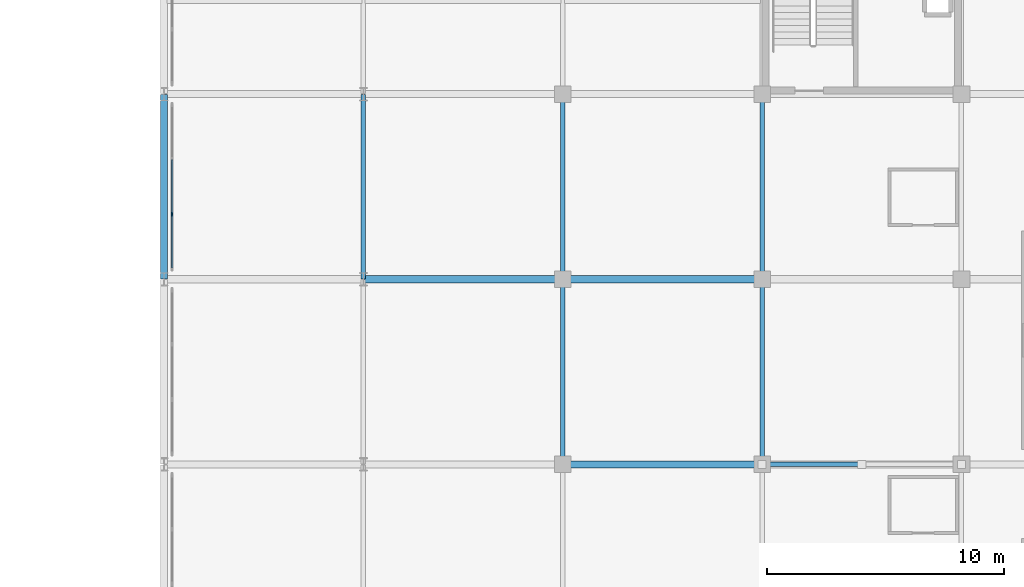
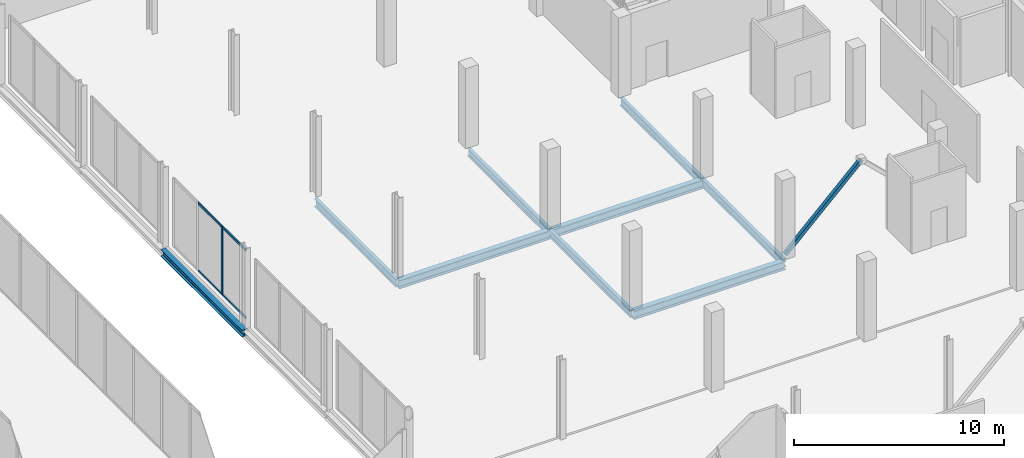
# One storey, part 50 of 98: 9 beams, 6 members, 1 element without a shape of its own.
"""IFC4 building model written with IfcOpenShell, lengths in metres."""

from ifc_helpers import new_model, si_unit, direction, frame, origin, origin_2d, place, context, subcontext, project, spatial, rectangle, hollow_rectangle, i_section, extrude, material, material_profile, profile_set, type_object, element, aggregate, save


model = new_model("IFC4")

# Units and contexts
model_context = context("Model", 3, precision=1e-05, world=origin(), true_north=direction((0.0, 1.0)))
body_context = subcontext(model_context, "Body", "Model", "MODEL_VIEW")
ifc_project = project(units=[si_unit("LENGTHUNIT", "METRE"), si_unit("AREAUNIT", "SQUARE_METRE"), si_unit("VOLUMEUNIT", "CUBIC_METRE"), si_unit("PLANEANGLEUNIT", "RADIAN"), si_unit("MASSUNIT", "GRAM", prefix="KILO")], contexts=[model_context])

# Site, building, storey
site_placement = place(None, origin())
site = spatial("IfcSite", under=ifc_project, at=site_placement, CompositionType="ELEMENT")
building_placement = place(site_placement, origin())
building = spatial("IfcBuilding", under=site, at=building_placement, Name="Nabrawat Pavilion Hospital", CompositionType="ELEMENT")
storey_placement = place(building_placement, frame((0.0, 0.0, 10.199951171875)))
storey = spatial("IfcBuildingStorey", under=building, at=storey_placement, Name="L02", CompositionType="ELEMENT", Elevation=10.199951171875)

# Curtain wall, members
ifc_material_1 = material(Name="Anodised Aluminium", Category="aluminium")
curtain_wall_type = type_object("IfcCurtainWallType", Name="Healing Garden Cloister Curtain Wall", PredefinedType="USERDEFINED", material=ifc_material_1)
curtain_wall_placement = place(storey_placement, origin())
curtain_wall = element("IfcCurtainWall", 1, at=curtain_wall_placement, inside=storey, type_object=curtain_wall_type, Name="L02 Healing Garden Cloister Curtain Wall 133", ObjectType="CURTAIN WALL", PredefinedType="USERDEFINED")
ifc_material_profile_1 = material_profile(ifc_material_1, rectangle(XDim=0.06494140625, YDim=0.179931640625, at=origin_2d()), Name="CWM 65x180")
ifc_profile_set_1 = profile_set([ifc_material_profile_1], Name="Anodised Aluminium")
member_type_1 = type_object("IfcMemberType", Name="Healing Garden Cloister Curtain Wall Mullion CWM 65x180", PredefinedType="MULLION", material=ifc_profile_set_1)
member_1_placement = place(storey_placement, frame((126.340087890625, 57.33837890625, 0.0), z_axis=(0.0, 0.0, 1.0), x_axis=(-1.0, 0.0, 0.0)))
member_1 = element("IfcMember", 2, at=member_1_placement, type_object=member_type_1, Name="CW-CLN-01 mullion 2", PredefinedType="MULLION", context=body_context, shape_type="SweptSolid", body=[
    extrude(rectangle(XDim=0.06494140625, YDim=0.179931640625, at=origin_2d()), origin(), (0.0, 0.0, 1.0), 3.989990234375),
])
ifc_material_profile_2 = material_profile(ifc_material_1, rectangle(XDim=0.06494140625, YDim=0.135009765625, at=origin_2d()), Name="CWT 65x135")
ifc_profile_set_2 = profile_set([ifc_material_profile_2], Name="Anodised Aluminium")
member_type_2 = type_object("IfcMemberType", Name="Healing Garden Cloister Curtain Wall Transom CWT 65x135", PredefinedType="USERDEFINED", material=ifc_profile_set_2)
member_2_placement = place(storey_placement, frame((126.340087890625, 55.080078125, 0.032470703125), z_axis=(0.0, 1.0, 0.0), x_axis=(-1.0, 0.0, 0.0)))
member_2 = element("IfcMember", 3, at=member_2_placement, type_object=member_type_2, Name="CW-CLN-01 transom 1.1", ObjectType="TRANSOM", PredefinedType="USERDEFINED", context=body_context, shape_type="SweptSolid", body=[
    extrude(rectangle(XDim=0.06494140625, YDim=0.135009765625, at=origin_2d()), origin(), (0.0, 0.0, 1.0), 2.225830078125),
])
member_3_placement = place(storey_placement, frame((126.340087890625, 55.080078125, 3.95751953125), z_axis=(0.0, 1.0, 0.0), x_axis=(-1.0, 0.0, 0.0)))
member_3 = element("IfcMember", 4, at=member_3_placement, type_object=member_type_2, Name="CW-CLN-01 transom 1.2", ObjectType="TRANSOM", PredefinedType="USERDEFINED", context=body_context, shape_type="SweptSolid", body=[
    extrude(rectangle(XDim=0.06494140625, YDim=0.135009765625, at=origin_2d()), origin(), (0.0, 0.0, 1.0), 2.225830078125),
])
member_4_placement = place(storey_placement, frame((126.340087890625, 57.370849609375, 0.032470703125), z_axis=(0.0, 1.0, 0.0), x_axis=(-1.0, 0.0, 0.0)))
member_4 = element("IfcMember", 5, at=member_4_placement, type_object=member_type_2, Name="CW-CLN-01 transom 2.1", ObjectType="TRANSOM", PredefinedType="USERDEFINED", context=body_context, shape_type="SweptSolid", body=[
    extrude(rectangle(XDim=0.06494140625, YDim=0.135009765625, at=origin_2d()), origin(), (0.0, 0.0, 1.0), 2.25830078125),
])
member_5_placement = place(storey_placement, frame((126.340087890625, 57.370849609375, 3.95751953125), z_axis=(0.0, 1.0, 0.0), x_axis=(-1.0, 0.0, 0.0)))
member_5 = element("IfcMember", 6, at=member_5_placement, type_object=member_type_2, Name="CW-CLN-01 transom 2.2", ObjectType="TRANSOM", PredefinedType="USERDEFINED", context=body_context, shape_type="SweptSolid", body=[
    extrude(rectangle(XDim=0.06494140625, YDim=0.135009765625, at=origin_2d()), origin(), (0.0, 0.0, 1.0), 2.25830078125),
])
aggregate(curtain_wall, [member_1, member_2, member_3, member_4, member_5])

# Member
ifc_material_2 = material(Name="Steel S355", Category="steel")
ifc_material_profile_3 = material_profile(ifc_material_2, hollow_rectangle(XDim=0.199951171875, YDim=0.199951171875, WallThickness=0.012451171875, at=origin_2d()), Name="SHS 200x200x12.5")
ifc_profile_set_3 = profile_set([ifc_material_profile_3], Name="Steel S355")
member_type_3 = type_object("IfcMemberType", Name="Mid Seismic Chevron Brace SHS 200x200x12.5", PredefinedType="BRACE", material=ifc_profile_set_3)
member_6_placement = place(storey_placement, frame((151.199951171875, 46.800048828125, 0.050048828125), z_axis=(0.719836081517, 0.0, 0.694144088606), x_axis=(0.0, 1.0, 0.0)))
element("IfcMember", 7, at=member_6_placement, inside=storey, type_object=member_type_3, Name="L02 Seismic Concentric Chevron Brace 053", PredefinedType="BRACE", context=body_context, shape_type="SweptSolid", body=[
    extrude(hollow_rectangle(XDim=0.199951171875, YDim=0.199951171875, WallThickness=0.012451171875, at=origin_2d()), origin(), (0.0, 0.0, 1.0), 5.83447265625),
])

# Beams
ifc_material_profile_4 = material_profile(ifc_material_2, i_section(OverallWidth=0.300048828125, OverallDepth=0.389892578125, WebThickness=0.010986328125, FlangeThickness=0.01904296875, FilletRadius=0.027099609375, at=origin_2d()), Name="HEA 400")
ifc_profile_set_4 = profile_set([ifc_material_profile_4], Name="Steel S355")
beam_type_1 = type_object("IfcBeamType", Name="Perimeter Moment Spandrel Beam HEA 400", PredefinedType="SPANDREL", material=ifc_profile_set_4)
beam_1_placement = place(storey_placement, frame((126.0, 54.6201171875, -0.445068359375), z_axis=(0.0, 1.0, 0.0), x_axis=(-1.0, 0.0, 0.0)))
element("IfcBeam", 8, at=beam_1_placement, inside=storey, type_object=beam_type_1, Name="L02 Primary Y Beam 1283", PredefinedType="SPANDREL", context=body_context, shape_type="SweptSolid", body=[
    extrude(i_section(OverallWidth=0.300048828125, OverallDepth=0.389892578125, WebThickness=0.010986328125, FlangeThickness=0.01904296875, FilletRadius=0.027099609375, at=origin_2d()), origin(), (0.0, 0.0, 1.0), 7.759765625),
])
ifc_material_profile_5 = material_profile(ifc_material_2, i_section(OverallWidth=0.300048828125, OverallDepth=0.5, WebThickness=0.014404296875, FlangeThickness=0.028076171875, FilletRadius=0.027099609375, at=origin_2d()), Name="HEB 500")
ifc_profile_set_5 = profile_set([ifc_material_profile_5], Name="Steel S355")
beam_type_2 = type_object("IfcBeamType", Name="Primary Floor Girder HEB 500", PredefinedType="USERDEFINED", material=ifc_profile_set_5)
beam_2_placement = place(storey_placement, frame((142.820068359375, 46.800048828125, -0.5), z_axis=(1.0, 0.0, 0.0), x_axis=(0.0, 1.0, 0.0)))
element("IfcBeam", 9, at=beam_2_placement, inside=storey, type_object=beam_type_2, Name="L02 Primary X Girder 1020", ObjectType="GIRDER", PredefinedType="USERDEFINED", context=body_context, shape_type="SweptSolid", body=[
    extrude(i_section(OverallWidth=0.300048828125, OverallDepth=0.5, WebThickness=0.014404296875, FlangeThickness=0.028076171875, FilletRadius=0.027099609375, at=origin_2d()), origin(), (0.0, 0.0, 1.0), 8.35986328125),
])
beam_3_placement = place(storey_placement, frame((134.419921875, 54.60009765625, -0.5), z_axis=(1.0, 0.0, 0.0), x_axis=(0.0, 1.0, 0.0)))
element("IfcBeam", 10, at=beam_3_placement, inside=storey, type_object=beam_type_2, Name="L02 Primary X Girder 1033", ObjectType="GIRDER", PredefinedType="USERDEFINED", context=body_context, shape_type="SweptSolid", body=[
    extrude(i_section(OverallWidth=0.300048828125, OverallDepth=0.5, WebThickness=0.014404296875, FlangeThickness=0.028076171875, FilletRadius=0.027099609375, at=origin_2d()), origin(), (0.0, 0.0, 1.0), 8.360107421875),
])
beam_4_placement = place(storey_placement, frame((142.820068359375, 54.60009765625, -0.5), z_axis=(1.0, 0.0, 0.0), x_axis=(0.0, 1.0, 0.0)))
element("IfcBeam", 11, at=beam_4_placement, inside=storey, type_object=beam_type_2, Name="L02 Primary X Girder 1034", ObjectType="GIRDER", PredefinedType="USERDEFINED", context=body_context, shape_type="SweptSolid", body=[
    extrude(i_section(OverallWidth=0.300048828125, OverallDepth=0.5, WebThickness=0.014404296875, FlangeThickness=0.028076171875, FilletRadius=0.027099609375, at=origin_2d()), origin(), (0.0, 0.0, 1.0), 8.35986328125),
])
ifc_material_profile_6 = material_profile(ifc_material_2, i_section(OverallWidth=0.18994140625, OverallDepth=0.449951171875, WebThickness=0.009521484375, FlangeThickness=0.0146484375, FilletRadius=0.02099609375, at=origin_2d()), Name="IPE 450")
ifc_profile_set_6 = profile_set([ifc_material_profile_6], Name="Steel S355")
beam_type_3 = type_object("IfcBeamType", Name="Primary Y Floor Beam IPE 450", PredefinedType="BEAM", material=ifc_profile_set_6)
beam_5_placement = place(storey_placement, frame((134.39990234375, 54.6201171875, -0.474853515625), z_axis=(0.0, 1.0, 0.0), x_axis=(-1.0, 0.0, 0.0)))
element("IfcBeam", 12, at=beam_5_placement, inside=storey, type_object=beam_type_3, Name="L02 Primary Y Beam 1299", PredefinedType="BEAM", context=body_context, shape_type="SweptSolid", body=[
    extrude(i_section(OverallWidth=0.18994140625, OverallDepth=0.449951171875, WebThickness=0.009521484375, FlangeThickness=0.0146484375, FilletRadius=0.02099609375, at=origin_2d()), origin(), (0.0, 0.0, 1.0), 7.759765625),
])
beam_6_placement = place(storey_placement, frame((142.800048828125, 46.820068359375, -0.474853515625), z_axis=(0.0, 1.0, 0.0), x_axis=(-1.0, 0.0, 0.0)))
element("IfcBeam", 13, at=beam_6_placement, inside=storey, type_object=beam_type_3, Name="L02 Primary Y Beam 1314", PredefinedType="BEAM", context=body_context, shape_type="SweptSolid", body=[
    extrude(i_section(OverallWidth=0.18994140625, OverallDepth=0.449951171875, WebThickness=0.009521484375, FlangeThickness=0.0146484375, FilletRadius=0.02099609375, at=origin_2d()), origin(), (0.0, 0.0, 1.0), 7.760009765625),
])
beam_7_placement = place(storey_placement, frame((142.800048828125, 54.6201171875, -0.474853515625), z_axis=(0.0, 1.0, 0.0), x_axis=(-1.0, 0.0, 0.0)))
element("IfcBeam", 14, at=beam_7_placement, inside=storey, type_object=beam_type_3, Name="L02 Primary Y Beam 1315", PredefinedType="BEAM", context=body_context, shape_type="SweptSolid", body=[
    extrude(i_section(OverallWidth=0.18994140625, OverallDepth=0.449951171875, WebThickness=0.009521484375, FlangeThickness=0.0146484375, FilletRadius=0.02099609375, at=origin_2d()), origin(), (0.0, 0.0, 1.0), 7.759765625),
])
beam_8_placement = place(storey_placement, frame((151.199951171875, 46.820068359375, -0.474853515625), z_axis=(0.0, 1.0, 0.0), x_axis=(-1.0, 0.0, 0.0)))
element("IfcBeam", 15, at=beam_8_placement, inside=storey, type_object=beam_type_3, Name="L02 Primary Y Beam 1330", PredefinedType="BEAM", context=body_context, shape_type="SweptSolid", body=[
    extrude(i_section(OverallWidth=0.18994140625, OverallDepth=0.449951171875, WebThickness=0.009521484375, FlangeThickness=0.0146484375, FilletRadius=0.02099609375, at=origin_2d()), origin(), (0.0, 0.0, 1.0), 7.760009765625),
])
beam_9_placement = place(storey_placement, frame((151.199951171875, 54.6201171875, -0.474853515625), z_axis=(0.0, 1.0, 0.0), x_axis=(-1.0, 0.0, 0.0)))
element("IfcBeam", 16, at=beam_9_placement, inside=storey, type_object=beam_type_3, Name="L02 Primary Y Beam 1331", PredefinedType="BEAM", context=body_context, shape_type="SweptSolid", body=[
    extrude(i_section(OverallWidth=0.18994140625, OverallDepth=0.449951171875, WebThickness=0.009521484375, FlangeThickness=0.0146484375, FilletRadius=0.02099609375, at=origin_2d()), origin(), (0.0, 0.0, 1.0), 7.759765625),
])

save(model, "model.ifc")
